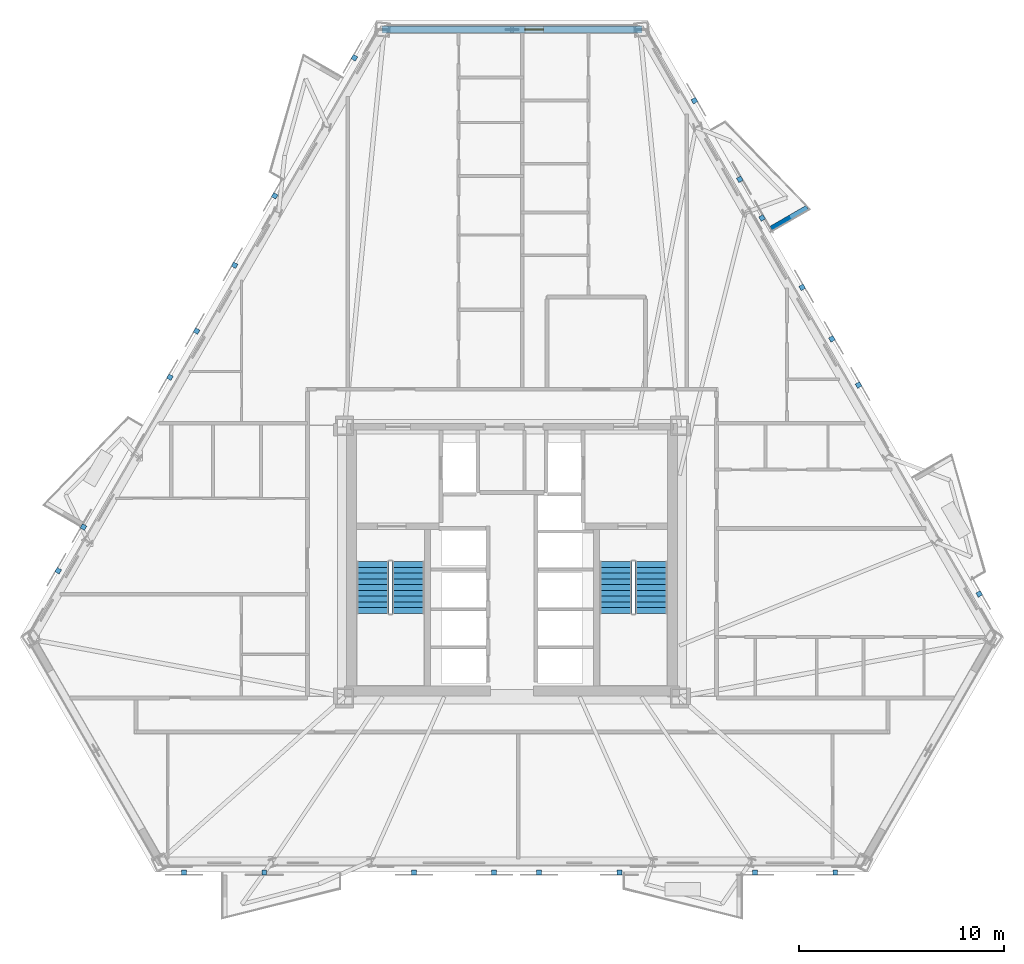
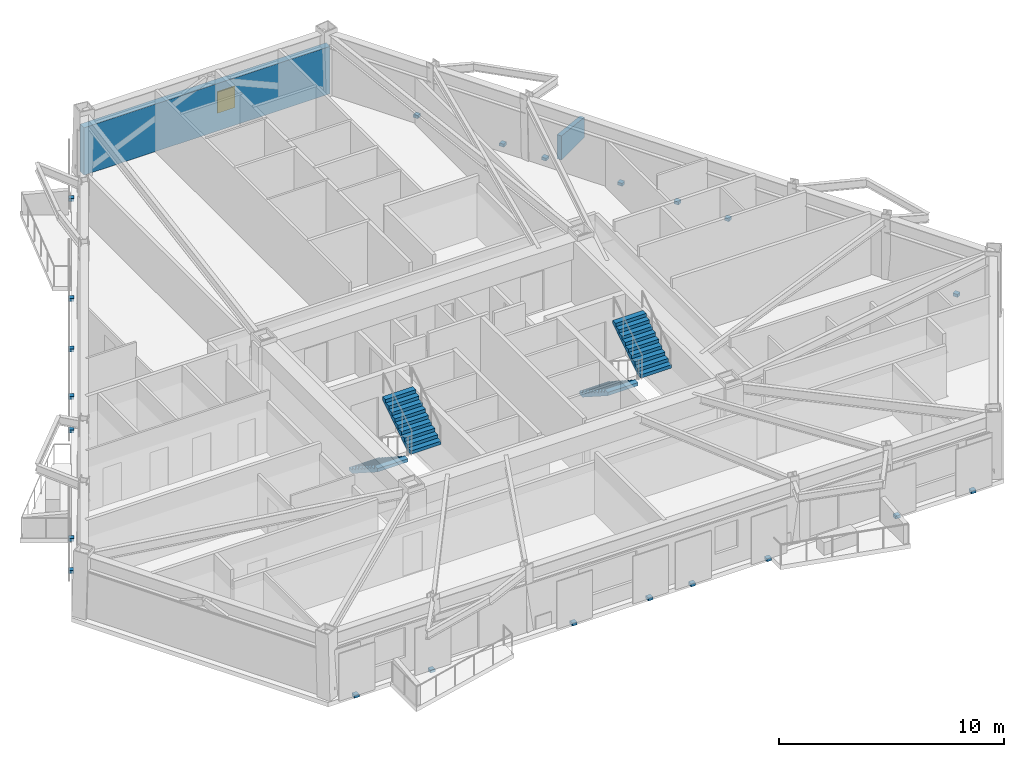
# One storey, part 7 of 11: 22 discrete accessories, 4 stair flights, 2 walls, 1 window, 1 opening, 2 elements without a shape of their own.
"""IFC4 building model written with IfcOpenShell, lengths in metres."""

import ifcopenshell
import ifcopenshell.guid

model = None  # the IFC model being written
_history = None  # IfcOwnerHistory: only IFC2X3 demands one
_inside = {}  # id of a spatial element -> (the spatial element, [elements in it])
_under = {}  # id of a project, library or spatial element -> (it, [spatial elements below it])
_declared = {}  # id of a project -> (the project, [libraries it declares])
_typed = {}  # id of a type object -> (the type object, [elements of that type])
_made_of = {}  # id of a material, layer set ... -> (it, [elements and type objects made of it])


def new_model(schema):
    """Start an empty IFC model of exactly this schema.

    Asked for "IFC4X3", IfcOpenShell would pick the latest addendum, in which some entities
    have other attributes; the version numbers below select the first issue.
    IFC2X3 requires an IfcOwnerHistory on every rooted entity: one is made here for all.
    """
    global model, _history
    if schema == "IFC4X3":
        model = ifcopenshell.file(schema_version=(4, 3, 0, 0))
    else:
        model = ifcopenshell.file(schema=schema)
    _inside.clear()
    _under.clear()
    _declared.clear()
    _typed.clear()
    _made_of.clear()
    _history = None
    if model.schema == "IFC2X3":
        org = make("IfcOrganization", Name="unknown")
        user = make(
            "IfcPersonAndOrganization",
            ThePerson=make("IfcPerson", FamilyName="unknown"),
            TheOrganization=org,
        )
        app = make(
            "IfcApplication",
            ApplicationDeveloper=org,
            Version="unknown",
            ApplicationFullName="unknown",
            ApplicationIdentifier="unknown",
        )
        _history = make(
            "IfcOwnerHistory",
            OwningUser=user,
            OwningApplication=app,
            ChangeAction="ADDED",
            CreationDate=0,
        )
    return model


def make(cls, **values):
    """One entity of the class cls with the attributes given. An attribute that is None is left unset."""
    return model.create_entity(
        cls, **{name: value for name, value in values.items() if value is not None}
    )


def rooted(cls, **values):
    """An entity with a GlobalId (a new one), such as an element, a storey or a relation."""
    return make(cls, GlobalId=ifcopenshell.guid.new(), OwnerHistory=_history, **values)


def si_unit(unit_type, name, prefix=None):
    """IfcSIUnit, for example si_unit("LENGTHUNIT", "METRE", prefix="MILLI")."""
    return make("IfcSIUnit", UnitType=unit_type, Prefix=prefix, Name=name)


def assignment(units):
    """IfcUnitAssignment: the units of a project."""
    return None if units is None else make("IfcUnitAssignment", Units=units)


def point(xyz):
    """IfcCartesianPoint."""
    return None if xyz is None else make("IfcCartesianPoint", Coordinates=xyz)


def direction(xyz):
    """IfcDirection."""
    return None if xyz is None else make("IfcDirection", DirectionRatios=xyz)


def frame(location, z_axis=None, x_axis=None):
    """IfcAxis2Placement3D, a coordinate frame: its origin and axes. An axis left out is left unset."""
    return make(
        "IfcAxis2Placement3D",
        Location=point(location),
        Axis=direction(z_axis),
        RefDirection=direction(x_axis),
    )


def frame_2d(location, x_axis=None):
    """IfcAxis2Placement2D, a coordinate frame in the plane: its origin and x axis."""
    return make(
        "IfcAxis2Placement2D", Location=point(location), RefDirection=direction(x_axis)
    )


def origin():
    """The frame at (0, 0, 0) with its axes left unset."""
    return frame((0.0, 0.0, 0.0))


def origin_2d():
    """The frame at (0, 0) in the plane with its x axis left unset."""
    return frame_2d((0.0, 0.0))


def place(relative_to, where):
    """IfcLocalPlacement: puts the frame where relative to a parent placement (None: the world)."""
    return make(
        "IfcLocalPlacement", PlacementRelTo=relative_to, RelativePlacement=where
    )


def context(
    kind, dimensions, precision=None, world=None, true_north=None, identifier=None
):
    """IfcGeometricRepresentationContext, for example the 3D "Model" context."""
    return make(
        "IfcGeometricRepresentationContext",
        ContextIdentifier=identifier,
        ContextType=kind,
        CoordinateSpaceDimension=dimensions,
        Precision=precision,
        WorldCoordinateSystem=world,
        TrueNorth=true_north,
    )


def subcontext(parent, identifier, kind, view, scale=None):
    """IfcGeometricRepresentationSubContext, for example "Body" below "Model"."""
    return make(
        "IfcGeometricRepresentationSubContext",
        ContextIdentifier=identifier,
        ContextType=kind,
        ParentContext=parent,
        TargetScale=scale,
        TargetView=view,
    )


def project(units=None, contexts=None):
    """IfcProject with its units and contexts."""
    return rooted(
        "IfcProject",
        Name="project",
        RepresentationContexts=contexts,
        UnitsInContext=assignment(units),
    )


def spatial(cls, under=None, at=None, **own):
    """A site, building, storey or space (cls), placed at a placement, below another one or the project."""
    s = rooted(cls, ObjectPlacement=at, **own)
    if under is not None:
        _under.setdefault(under.id(), (under, []))[1].append(s)
    return s


def polyline(points):
    """IfcPolyline through the points."""
    return make("IfcPolyline", Points=[point(p) for p in points])


def profile(cls, at=None, kind="AREA", **sizes):
    """A parametric profile (cls). Its sizes go by their IFC names, for example OverallWidth=200.0."""
    return make(cls, ProfileType=kind, Position=at, **sizes)


def rectangle(**sizes):
    """IfcRectangleProfileDef."""
    return profile("IfcRectangleProfileDef", **sizes)


def outline(outer, holes=None, kind="AREA"):
    """IfcArbitraryClosedProfileDef: a profile drawn as a closed curve; with holes, ...WithVoids."""
    if holes is None:
        return make("IfcArbitraryClosedProfileDef", ProfileType=kind, OuterCurve=outer)
    return make(
        "IfcArbitraryProfileDefWithVoids",
        ProfileType=kind,
        OuterCurve=outer,
        InnerCurves=holes,
    )


def extrude(swept, where, along, depth):
    """IfcExtrudedAreaSolid: the profile swept, set in the frame where, extruded along a direction by depth."""
    return make(
        "IfcExtrudedAreaSolid",
        SweptArea=swept,
        Position=where,
        ExtrudedDirection=direction(along),
        Depth=depth,
    )


def shape(context_of_items, identifier, shape_type, items):
    """IfcShapeRepresentation: the items that make up one representation, for example the "Body"."""
    return make(
        "IfcShapeRepresentation",
        ContextOfItems=context_of_items,
        RepresentationIdentifier=identifier,
        RepresentationType=shape_type,
        Items=items,
    )


def material(Name=None, Category=None):
    """IfcMaterial."""
    return make("IfcMaterial", Name=Name, Category=Category)


def layer(
    of_material, thickness, ventilated=None, Name=None, Category=None, Priority=None
):
    """IfcMaterialLayer: one layer of a wall or slab, of a material (None: an air gap)."""
    return make(
        "IfcMaterialLayer",
        Material=of_material,
        LayerThickness=thickness,
        IsVentilated=ventilated,
        Name=Name,
        Category=Category,
        Priority=Priority,
    )


def layer_set(layers, Name=None):
    """IfcMaterialLayerSet."""
    return make("IfcMaterialLayerSet", MaterialLayers=layers, LayerSetName=Name)


def made_of(thing, what):
    """Note that an element or type object is made of a material, layer set ...; save() writes the relation."""
    if what is not None:
        _made_of.setdefault(what.id(), (what, []))[1].append(thing)
    return thing


def type_object(cls, material=None, **own):
    """A type object (cls), such as IfcWallType, which elements share."""
    return made_of(rooted(cls, **own), material)


def element(
    cls,
    number,
    at=None,
    inside=None,
    cuts=None,
    type_object=None,
    material=None,
    context=None,
    identifier="Body",
    shape_type=None,
    held_by="IfcProductDefinitionShape",
    body=None,
    shapes=None,
    **own,
):
    """One element of the class cls, such as IfcWall. Its Tag is "e" and its number.

    at: its placement. inside: the storey or other place that contains it. cuts: it is an
    opening in that element (IfcRelVoidsElement). A single representation is given by context,
    identifier, shape_type and body (its items); several are given by shapes. held_by: the class
    of the entity that holds the representations. save() writes the other relations.
    """
    e = rooted(cls, Tag="e%d" % number, ObjectPlacement=at, **own)
    if body is not None:
        shapes = [shape(context, identifier, shape_type, body)]
    if shapes is not None:
        e.Representation = make(held_by, Representations=shapes)
    if inside is not None:
        _inside.setdefault(inside.id(), (inside, []))[1].append(e)
    if cuts is not None:
        rooted(
            "IfcRelVoidsElement", RelatingBuildingElement=cuts, RelatedOpeningElement=e
        )
    if type_object is not None:
        _typed.setdefault(type_object.id(), (type_object, []))[1].append(e)
    return made_of(e, material)


def fill(opening, filler):
    """IfcRelFillsElement: the door or window that sits in an opening."""
    return rooted(
        "IfcRelFillsElement",
        RelatingOpeningElement=opening,
        RelatedBuildingElement=filler,
    )


def aggregate(whole, parts):
    """IfcRelAggregates: a whole, such as a stair, and the parts it consists of."""
    return rooted("IfcRelAggregates", RelatingObject=whole, RelatedObjects=parts)


def save(model, path):
    """Write the relations noted so far, then the file.

    IfcRelAggregates (storeys below a building ...), IfcRelContainedInSpatialStructure (elements
    in a storey), IfcRelDefinesByType, IfcRelAssociatesMaterial and IfcRelDeclares: one each for
    every whole, place, type object, material and project.
    """
    for whole, parts in _under.values():
        aggregate(whole, parts)
    for where, things in _inside.values():
        rooted(
            "IfcRelContainedInSpatialStructure",
            RelatedElements=things,
            RelatingStructure=where,
        )
    for kind, things in _typed.values():
        rooted("IfcRelDefinesByType", RelatedObjects=things, RelatingType=kind)
    for what, things in _made_of.values():
        rooted("IfcRelAssociatesMaterial", RelatedObjects=things, RelatingMaterial=what)
    for by, libraries in _declared.values():
        rooted("IfcRelDeclares", RelatingContext=by, RelatedDefinitions=libraries)
    model.write(path)


model = new_model("IFC4")

# Units and contexts
model_context = context("Model", 3, precision=1e-05, world=origin(), true_north=direction((0.0, 1.0)))
body_context = subcontext(model_context, "Body", "Model", "MODEL_VIEW")
ifc_project = project(units=[si_unit("LENGTHUNIT", "METRE"), si_unit("AREAUNIT", "SQUARE_METRE"), si_unit("VOLUMEUNIT", "CUBIC_METRE"), si_unit("PLANEANGLEUNIT", "RADIAN"), si_unit("MASSUNIT", "GRAM", prefix="KILO")], contexts=[model_context])

# Site, building, storey
site_placement = place(None, origin())
site = spatial("IfcSite", under=ifc_project, at=site_placement, CompositionType="ELEMENT")
building_placement = place(site_placement, origin())
building = spatial("IfcBuilding", under=site, at=building_placement, Name="Oramaril Tower", CompositionType="ELEMENT")
storey_placement = place(building_placement, frame((0.0, 0.0, 86.10009765625)))
storey = spatial("IfcBuildingStorey", under=building, at=storey_placement, Name="L22", CompositionType="ELEMENT", Elevation=86.10009765625)

# Wall, opening, window
ifc_material_1 = material(Name="Warm Cream Limestone", Category="masonry")
ifc_layer_1 = layer(ifc_material_1, 0.340087890625)
ifc_layer_set_1 = layer_set([ifc_layer_1], Name="WT-EXT34")
wall_type_1 = type_object("IfcWallType", Name="WT-EXT34", PredefinedType="SOLIDWALL", material=ifc_layer_set_1)
wall_1_placement = place(storey_placement, frame((43.8212890625, 43.490478515625, 0.0), z_axis=(0.0, 0.0, 1.0), x_axis=(-1.0, 0.0, 0.0)))
wall_1 = element("IfcWall", 1, at=wall_1_placement, inside=storey, type_object=wall_type_1, Name="L22 Tower Limestone Facade Wall 5M", PredefinedType="SOLIDWALL", context=body_context, shape_type="SweptSolid", body=[
    extrude(rectangle(XDim=12.642578125, YDim=0.340087890625, at=frame_2d((6.3212890625, 0.0))), origin(), (0.0, 0.0, 1.0), 2.577880859375),
])
opening_placement = place(wall_1_placement, frame((4.799072265625, 0.0, 0.85009765625)))
opening = element("IfcOpeningElement", 2, at=opening_placement, cuts=wall_1, Name="Opening WN-12", PredefinedType="OPENING", context=body_context, shape_type="SweptSolid", body=[
    extrude(rectangle(XDim=0.89990234375, YDim=1.14990234375, at=frame_2d((0.449951171875, 0.574951171875))), frame((0.0, 0.169921875, 0.0), z_axis=(0.0, -1.0, 0.0), x_axis=(1.0, 0.0, 0.0)), (0.0, 0.0, 1.0), 0.340087890625),
])
ifc_material_2 = material(Name="Coastal Low-E Insulated Glass", Category="glass")
window_type = type_object("IfcWindowType", Name="WNT-12", PartitioningType="SINGLE_PANEL", PredefinedType="WINDOW", material=ifc_material_2)
window_placement = place(opening_placement, origin())
window = element("IfcWindow", 3, at=window_placement, inside=storey, type_object=window_type, Name="L22 Apartment Bedroom Window WN-12", OverallHeight=1.14990234375, OverallWidth=0.89990234375, PartitioningType="SINGLE_PANEL", PredefinedType="WINDOW", context=body_context, shape_type="SweptSolid", body=[
    extrude(rectangle(XDim=0.89990234375, YDim=1.14990234375, at=frame_2d((0.449951171875, 0.574951171875))), frame((0.0, 0.030029296875, 0.0), z_axis=(0.0, -1.0, 0.0), x_axis=(1.0, 0.0, 0.0)), (0.0, 0.0, 1.0), 0.06005859375),
])
fill(opening, window)

# Wall
ifc_material_3 = material(Name="Concrete C40/50", Category="concrete")
ifc_layer_2 = layer(ifc_material_3, 0.22998046875)
ifc_layer_set_2 = layer_set([ifc_layer_2], Name="WT-PRP23")
wall_type_2 = type_object("IfcWallType", Name="WT-PRP23", PredefinedType="PARAPET", material=ifc_layer_set_2)
wall_2_placement = place(storey_placement, frame((50.10400390625, 33.8046875, 0.0), z_axis=(0.0, 0.0, 1.0), x_axis=(0.866012356593, 0.500022597718, 0.0)))
element("IfcWall", 4, at=wall_2_placement, inside=storey, type_object=wall_type_2, Name="L22 Trapezoidal Balcony Frame Cheek L22-BAL-NE2-L", PredefinedType="PARAPET", context=body_context, shape_type="SweptSolid", body=[
    extrude(outline(polyline([(0.0, 0.0), (2.0419921875, 0.0), (2.0419921875, 1.099853515625), (0.0, 1.31982421875), (0.0, 0.0)])), frame((0.0, 0.114990234375, 0.0), z_axis=(0.0, -1.0, 0.0), x_axis=(1.0, 0.0, 0.0)), (0.0, 0.0, 1.0), 0.22998046875),
])

# Stair, stair flights
ifc_material_4 = material(Name="Concrete C50/60", Category="concrete")
stair_type = type_object("IfcStairType", Name="STT-DG-3600", PredefinedType="HALF_TURN_STAIR", material=ifc_material_4)
stair_1_placement = place(storey_placement, origin())
stair_1 = element("IfcStair", 5, at=stair_1_placement, inside=storey, type_object=stair_type, Name="L22 Protected PFP Exit Stair ST-1", PredefinedType="HALF_TURN_STAIR")
ifc_material_5 = material(Name="Concrete C50/60", Category="concrete")
stair_flight_type = type_object("IfcStairFlightType", Name="SFT-DG-3600", PredefinedType="STRAIGHT", material=ifc_material_5)
stair_flight_1_placement = place(storey_placement, frame((30.72998046875, 17.590087890625, 0.0), z_axis=(0.0, 0.0, 1.0), x_axis=(0.0, -1.0, 0.0)))
stair_flight_1 = element("IfcStairFlight", 6, at=stair_flight_1_placement, type_object=stair_flight_type, Name="ST-1 flight 1", NumberOfRisers=10, NumberOfTreads=9, PredefinedType="STRAIGHT", RiserHeight=0.18, TreadLength=0.28, context=body_context, shape_type="SweptSolid", body=[
    extrude(outline(polyline([(0.0, 0.0), (0.0, 0.179931640625), (0.280029296875, 0.179931640625), (0.280029296875, 0.360107421875), (0.56005859375, 0.360107421875), (0.56005859375, 0.5400390625), (0.840087890625, 0.5400390625), (0.840087890625, 0.719970703125), (1.1201171875, 0.719970703125), (1.1201171875, 0.89990234375), (1.39990234375, 0.89990234375), (1.39990234375, 1.080078125), (1.679931640625, 1.080078125), (1.679931640625, 1.260009765625), (1.9599609375, 1.260009765625), (1.9599609375, 1.43994140625), (2.239990234375, 1.43994140625), (2.239990234375, 1.6201171875), (2.52001953125, 1.6201171875), (2.52001953125, 1.800048828125), (2.52001953125, 1.44189453125), (0.277099609375, 0.0), (0.0, 0.0)])), frame((0.0, 0.780029296875, 0.0), z_axis=(0.0, -1.0, 0.0), x_axis=(1.0, 0.0, 0.0)), (0.0, 0.0, 1.0), 1.56005859375),
])
stair_flight_2_placement = place(storey_placement, frame((32.43994140625, 15.070068359375, 1.7998046875), z_axis=(0.0, 0.0, 1.0), x_axis=(0.0, 1.0, 0.0)))
stair_flight_2 = element("IfcStairFlight", 7, at=stair_flight_2_placement, type_object=stair_flight_type, Name="ST-1 flight 2", NumberOfRisers=10, NumberOfTreads=9, PredefinedType="STRAIGHT", RiserHeight=0.18, TreadLength=0.28, context=body_context, shape_type="SweptSolid", body=[
    extrude(outline(polyline([(0.0, 0.0), (0.0, 0.179931640625), (0.280029296875, 0.179931640625), (0.280029296875, 0.360107421875), (0.56005859375, 0.360107421875), (0.56005859375, 0.5400390625), (0.840087890625, 0.5400390625), (0.840087890625, 0.719970703125), (1.1201171875, 0.719970703125), (1.1201171875, 0.89990234375), (1.39990234375, 0.89990234375), (1.39990234375, 1.080078125), (1.679931640625, 1.080078125), (1.679931640625, 1.260009765625), (1.9599609375, 1.260009765625), (1.9599609375, 1.43994140625), (2.239990234375, 1.43994140625), (2.239990234375, 1.6201171875), (2.52001953125, 1.6201171875), (2.52001953125, 1.800048828125), (2.52001953125, 1.44189453125), (0.277099609375, 0.0), (0.0, 0.0)])), frame((0.0, 0.780029296875, 0.0), z_axis=(0.0, -1.0, 0.0), x_axis=(1.0, 0.0, 0.0)), (0.0, 0.0, 1.0), 1.56005859375),
])
aggregate(stair_1, [stair_flight_1, stair_flight_2])

stair_2_placement = place(storey_placement, origin())
stair_2 = element("IfcStair", 8, at=stair_2_placement, inside=storey, type_object=stair_type, Name="L22 Protected PFP Exit Stair ST-2", PredefinedType="HALF_TURN_STAIR")
stair_flight_3_placement = place(storey_placement, frame((42.56005859375, 17.590087890625, 0.0), z_axis=(0.0, 0.0, 1.0), x_axis=(0.0, -1.0, 0.0)))
stair_flight_3 = element("IfcStairFlight", 9, at=stair_flight_3_placement, type_object=stair_flight_type, Name="ST-2 flight 1", NumberOfRisers=10, NumberOfTreads=9, PredefinedType="STRAIGHT", RiserHeight=0.18, TreadLength=0.28, context=body_context, shape_type="SweptSolid", body=[
    extrude(outline(polyline([(0.0, 0.0), (0.0, 0.179931640625), (0.280029296875, 0.179931640625), (0.280029296875, 0.360107421875), (0.56005859375, 0.360107421875), (0.56005859375, 0.5400390625), (0.840087890625, 0.5400390625), (0.840087890625, 0.719970703125), (1.1201171875, 0.719970703125), (1.1201171875, 0.89990234375), (1.39990234375, 0.89990234375), (1.39990234375, 1.080078125), (1.679931640625, 1.080078125), (1.679931640625, 1.260009765625), (1.9599609375, 1.260009765625), (1.9599609375, 1.43994140625), (2.239990234375, 1.43994140625), (2.239990234375, 1.6201171875), (2.52001953125, 1.6201171875), (2.52001953125, 1.800048828125), (2.52001953125, 1.44189453125), (0.277099609375, 0.0), (0.0, 0.0)])), frame((0.0, 0.780029296875, 0.0), z_axis=(0.0, -1.0, 0.0), x_axis=(1.0, 0.0, 0.0)), (0.0, 0.0, 1.0), 1.56005859375),
])
stair_flight_4_placement = place(storey_placement, frame((44.27001953125, 15.070068359375, 1.7998046875), z_axis=(0.0, 0.0, 1.0), x_axis=(0.0, 1.0, 0.0)))
stair_flight_4 = element("IfcStairFlight", 10, at=stair_flight_4_placement, type_object=stair_flight_type, Name="ST-2 flight 2", NumberOfRisers=10, NumberOfTreads=9, PredefinedType="STRAIGHT", RiserHeight=0.18, TreadLength=0.28, context=body_context, shape_type="SweptSolid", body=[
    extrude(outline(polyline([(0.0, 0.0), (0.0, 0.179931640625), (0.280029296875, 0.179931640625), (0.280029296875, 0.360107421875), (0.56005859375, 0.360107421875), (0.56005859375, 0.5400390625), (0.840087890625, 0.5400390625), (0.840087890625, 0.719970703125), (1.1201171875, 0.719970703125), (1.1201171875, 0.89990234375), (1.39990234375, 0.89990234375), (1.39990234375, 1.080078125), (1.679931640625, 1.080078125), (1.679931640625, 1.260009765625), (1.9599609375, 1.260009765625), (1.9599609375, 1.43994140625), (2.239990234375, 1.43994140625), (2.239990234375, 1.6201171875), (2.52001953125, 1.6201171875), (2.52001953125, 1.800048828125), (2.52001953125, 1.44189453125), (0.277099609375, 0.0), (0.0, 0.0)])), frame((0.0, 0.780029296875, 0.0), z_axis=(0.0, -1.0, 0.0), x_axis=(1.0, 0.0, 0.0)), (0.0, 0.0, 1.0), 1.56005859375),
])
aggregate(stair_2, [stair_flight_3, stair_flight_4])

# Discrete accessories
for number, where, z_axis, x_axis, name in (
    (11, (21.541259765625, 2.450439453125, -0.14013671875), (0.0, 0.0, 1.0), (1.0, 0.0, 0.0), "L22 Solar Screen Slab Bracket"),
    (12, (25.44140625, 2.450439453125, -0.14013671875), (0.0, 0.0, 1.0), (1.0, 0.0, 0.0), "L22 Solar Screen Slab Bracket"),
    (13, (32.7275390625, 2.450439453125, -0.14013671875), (0.0, 0.0, 1.0), (1.0, 0.0, 0.0), "L22 Solar Screen Slab Bracket"),
    (14, (36.627685546875, 2.450439453125, -0.14013671875), (0.0, 0.0, 1.0), (1.0, 0.0, 0.0), "L22 Solar Screen Slab Bracket"),
    (15, (38.822509765625, 2.450439453125, -0.14013671875), (0.0, 0.0, 1.0), (1.0, 0.0, 0.0), "L22 Solar Screen Slab Bracket"),
    (16, (42.722412109375, 2.450439453125, -0.14013671875), (0.0, 0.0, 1.0), (1.0, 0.0, 0.0), "L22 Solar Screen Slab Bracket"),
    (17, (49.333740234375, 2.450439453125, -0.14013671875), (0.0, 0.0, 1.0), (1.0, 0.0, 0.0), "L22 Solar Screen Slab Bracket"),
    (18, (53.233642578125, 2.450439453125, -0.14013671875), (0.0, 0.0, 1.0), (1.0, 0.0, 0.0), "L22 Solar Screen Slab Bracket"),
    (19, (60.240966796875, 16.0107421875, -0.14013671875), (0.0, 0.0, 1.0), (-0.5, 0.866025403784, 0.0), "L22 Solar Screen Slab Bracket"),
    (20, (46.377197265625, 40.0234375, -0.14013671875), (0.0, 0.0, 1.0), (-0.5, 0.866025403784, 0.0), "L22 Solar Screen Slab Bracket"),
    (21, (51.623046875, 30.9375, -0.14013671875), (0.0, 0.0, 1.0), (-0.5, 0.866025403784, 0.0), "L22 Solar Screen Slab Bracket"),
    (22, (49.673095703125, 34.31494140625, -0.14013671875), (0.0, 0.0, 1.0), (-0.5, 0.866025403784, 0.0), "L22 Solar Screen Slab Bracket"),
    (23, (48.58740234375, 36.195556640625, -0.14013671875), (0.0, 0.0, 1.0), (-0.5, 0.866025403784, 0.0), "L22 Solar Screen Slab Bracket"),
    (24, (54.36865234375, 26.181884765625, -0.14013671875), (0.0, 0.0, 1.0), (-0.5, 0.866025403784, 0.0), "L22 Solar Screen Slab Bracket"),
    (25, (53.07177734375, 28.42822265625, -0.14013671875), (0.0, 0.0, 1.0), (-0.5, 0.866025403784, 0.0), "L22 Solar Screen Slab Bracket"),
    (26, (15.4111328125, 17.14013671875, -0.14013671875), (0.0, 0.0, 1.0), (-0.5, -0.866025403784, 0.0), "L22 Solar Screen Slab Bracket"),
    (27, (16.639892578125, 19.268798828125, -0.14013671875), (0.0, 0.0, 1.0), (-0.5, -0.866025403784, 0.0), "L22 Solar Screen Slab Bracket"),
    (28, (25.947998046875, 35.390625, -0.14013671875), (0.0, 0.0, 1.0), (-0.5, -0.866025403784, 0.0), "L22 Solar Screen Slab Bracket"),
    (29, (23.998046875, 32.01318359375, -0.14013671875), (0.0, 0.0, 1.0), (-0.5, -0.866025403784, 0.0), "L22 Solar Screen Slab Bracket"),
    (30, (22.14794921875, 28.808837890625, -0.14013671875), (0.0, 0.0, 1.0), (-0.5, -0.866025403784, 0.0), "L22 Solar Screen Slab Bracket"),
    (31, (20.850830078125, 26.562255859375, -0.14013671875), (0.0, 0.0, 1.0), (-0.5, -0.866025403784, 0.0), "L22 Solar Screen Slab Bracket"),
    (32, (29.827880859375, 42.110595703125, -0.14013671875), (0.0, 0.0, 1.0), (-0.5, -0.866025403784, 0.0), "L22 Solar Screen Slab Bracket"),
):
    element("IfcDiscreteAccessory", number, at=place(storey_placement, frame(where, z_axis=z_axis, x_axis=x_axis)), inside=storey, Name=name, PredefinedType="BRACKET", context=body_context, shape_type="SweptSolid", body=[
        extrude(rectangle(XDim=0.239990234375, YDim=0.239990234375, at=origin_2d()), origin(), (0.0, 0.0, 1.0), 0.159912109375),
    ])

save(model, "model.ifc")
